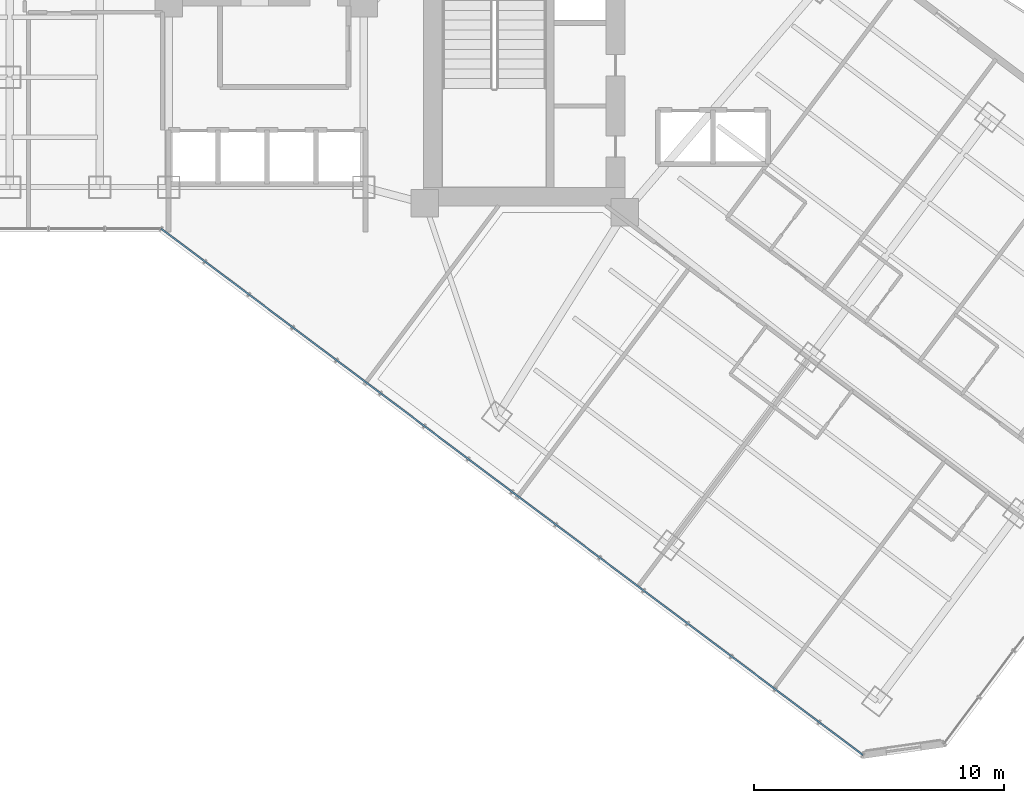
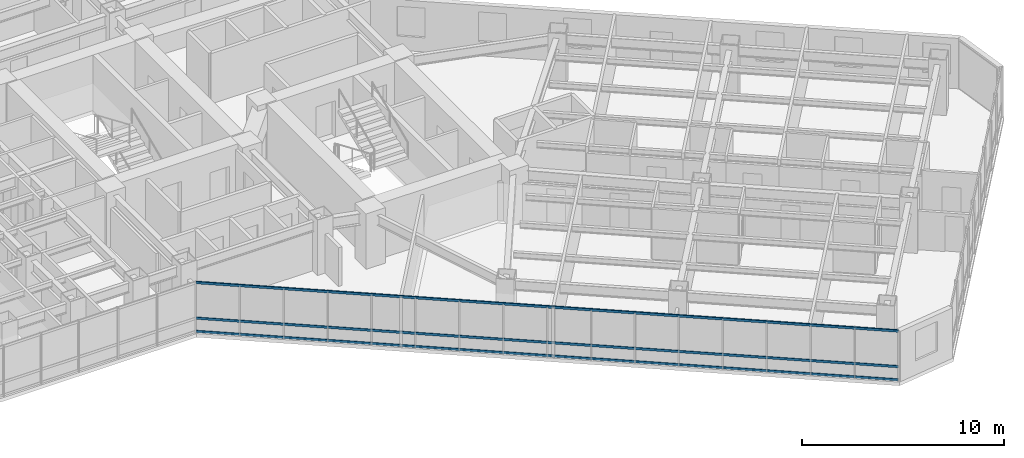
# One storey, part 3 of 36: 3 members, 1 element without a shape of its own.
"""IFC4 building model written with IfcOpenShell, lengths in metres."""

from ifc_helpers import new_model, si_unit, direction, frame, origin, origin_2d, place, context, subcontext, project, spatial, hollow_rectangle, extrude, material, layer, layer_set, material_profile, profile_set, type_object, element, aggregate, save


model = new_model("IFC4")

# Units and contexts
model_context = context("Model", 3, precision=1e-05, world=origin(), true_north=direction((0.0, 1.0)))
body_context = subcontext(model_context, "Body", "Model", "MODEL_VIEW")
ifc_project = project(units=[si_unit("LENGTHUNIT", "METRE"), si_unit("AREAUNIT", "SQUARE_METRE"), si_unit("VOLUMEUNIT", "CUBIC_METRE"), si_unit("PLANEANGLEUNIT", "RADIAN"), si_unit("MASSUNIT", "GRAM", prefix="KILO")], contexts=[model_context])

# Site, building, storey
site_placement = place(None, origin())
site = spatial("IfcSite", under=ifc_project, at=site_placement, CompositionType="ELEMENT")
building_placement = place(site_placement, origin())
building = spatial("IfcBuilding", under=site, at=building_placement, Name="Hatsunagi Terrace Concourse", CompositionType="ELEMENT")
storey_placement = place(building_placement, frame((0.0, 0.0, 88.0)))
storey = spatial("IfcBuildingStorey", under=building, at=storey_placement, Name="L23", CompositionType="ELEMENT", Elevation=88.0)

# Curtain wall, members
ifc_material_1 = material(Name="Anodised Aluminium Alloy 6063-T5", Category="aluminium")
ifc_layer = layer(ifc_material_1, 0.199951171875)
ifc_layer_set = layer_set([ifc_layer], Name="HotelFacade_CW02")
curtain_wall_type = type_object("IfcCurtainWallType", Name="HotelFacade_CW02", PredefinedType="NOTDEFINED", material=ifc_layer_set)
curtain_wall_placement = place(storey_placement, origin())
curtain_wall = element("IfcCurtainWall", 1, at=curtain_wall_placement, inside=storey, type_object=curtain_wall_type, Name="Unitised Curtain Wall CW-02 CW-L23-05", PredefinedType="NOTDEFINED")
ifc_material_2 = material(Name="Anodised Aluminium Alloy 6063-T5", Category="aluminium")
ifc_material_profile = material_profile(ifc_material_2, hollow_rectangle(XDim=0.06494140625, YDim=0.139892578125, WallThickness=0.00390625, at=origin_2d()), Name="ALU-TRN-140x65x4")
ifc_profile_set = profile_set([ifc_material_profile], Name="Anodised Aluminium Alloy 6063-T5")
member_type = type_object("IfcMemberType", Name="CurtainWallTransom_140x65", PredefinedType="USERDEFINED", material=ifc_profile_set)
member_1_placement = place(storey_placement, frame((53.318115234375, 2.487060546875, 0.050048828125), z_axis=(-0.800004174678, 0.599994433723, 0.0), x_axis=(-0.599994433723, -0.800004174678, 0.0)))
member_1 = element("IfcMember", 2, at=member_1_placement, type_object=member_type, Name="Curtain Wall Transom TRN-02", ObjectType="TRANSOM", PredefinedType="USERDEFINED", context=body_context, shape_type="SweptSolid", body=[
    extrude(hollow_rectangle(XDim=0.06494140625, YDim=0.139892578125, WallThickness=0.00390625, at=origin_2d()), origin(), (0.0, 0.0, 1.0), 35.088623046875),
])
member_2_placement = place(storey_placement, frame((53.318115234375, 2.487060546875, 0.85009765625), z_axis=(-0.800004174678, 0.599994433723, 0.0), x_axis=(-0.599994433723, -0.800004174678, 0.0)))
member_2 = element("IfcMember", 3, at=member_2_placement, type_object=member_type, Name="Curtain Wall Transom TRN-02", ObjectType="TRANSOM", PredefinedType="USERDEFINED", context=body_context, shape_type="SweptSolid", body=[
    extrude(hollow_rectangle(XDim=0.06494140625, YDim=0.139892578125, WallThickness=0.00390625, at=origin_2d()), origin(), (0.0, 0.0, 1.0), 35.088623046875),
])
member_3_placement = place(storey_placement, frame((53.318115234375, 2.487060546875, 3.0), z_axis=(-0.800004174678, 0.599994433723, 0.0), x_axis=(-0.599994433723, -0.800004174678, 0.0)))
member_3 = element("IfcMember", 4, at=member_3_placement, type_object=member_type, Name="Curtain Wall Transom TRN-02", ObjectType="TRANSOM", PredefinedType="USERDEFINED", context=body_context, shape_type="SweptSolid", body=[
    extrude(hollow_rectangle(XDim=0.06494140625, YDim=0.139892578125, WallThickness=0.00390625, at=origin_2d()), origin(), (0.0, 0.0, 1.0), 35.088623046875),
])
aggregate(curtain_wall, [member_1, member_2, member_3])

save(model, "model.ifc")
